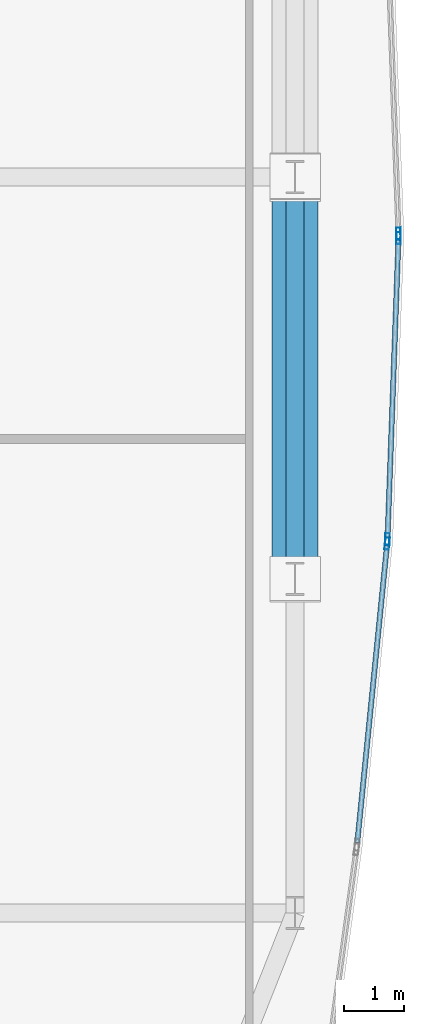
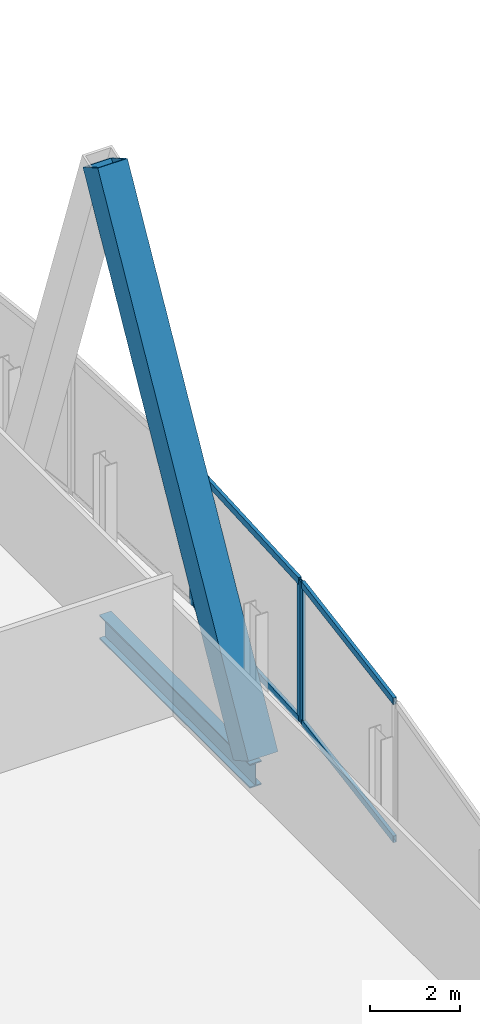
# One storey, part 22 of 35: 9 members, 1 beam, 3 elements without a shape of their own.
"""IFC4 building model written with IfcOpenShell, lengths in metres."""

from ifc_helpers import new_model, si_unit, direction, frame, origin, origin_2d, place, context, subcontext, project, spatial, hollow_rectangle, i_section, extrude, material, material_profile, profile_set, type_object, element, aggregate, save


model = new_model("IFC4")

# Units and contexts
model_context = context("Model", 3, precision=1e-05, world=origin(), true_north=direction((0.0, 1.0)))
body_context = subcontext(model_context, "Body", "Model", "MODEL_VIEW")
ifc_project = project(units=[si_unit("LENGTHUNIT", "METRE"), si_unit("AREAUNIT", "SQUARE_METRE"), si_unit("VOLUMEUNIT", "CUBIC_METRE"), si_unit("PLANEANGLEUNIT", "RADIAN"), si_unit("MASSUNIT", "GRAM", prefix="KILO")], contexts=[model_context])

# Site, building, storey
site_placement = place(None, origin())
site = spatial("IfcSite", under=ifc_project, at=site_placement, CompositionType="ELEMENT")
building_placement = place(site_placement, origin())
building = spatial("IfcBuilding", under=site, at=building_placement, Name="Khoronbel Lancet Exchange", CompositionType="ELEMENT")
storey_placement = place(building_placement, frame((0.0, 0.0, 37.800048828125)))
storey = spatial("IfcBuildingStorey", under=building, at=storey_placement, Name="L08", CompositionType="ELEMENT", Elevation=37.800048828125)

# Beam
ifc_material_1 = material(Name="Steel S355", Category="steel")
ifc_material_profile_1 = material_profile(ifc_material_1, i_section(OverallWidth=0.300048828125, OverallDepth=0.64990234375, WebThickness=0.01611328125, FlangeThickness=0.031005859375, at=origin_2d()), Name="HEB 650")
ifc_profile_set_1 = profile_set([ifc_material_profile_1], Name="Steel S355")
beam_type = type_object("IfcBeamType", Name="BM-BSP1", PredefinedType="SPANDREL", material=ifc_profile_set_1)
beam_placement = place(storey_placement, frame((71.6298828125, 24.75, -0.505126953125), z_axis=(0.0, 1.0, 0.0), x_axis=(-1.0, 0.0, 0.0)))
element("IfcBeam", 1, at=beam_placement, inside=storey, type_object=beam_type, Name="Level L08 perimeter spandrel beam SP12", PredefinedType="SPANDREL", context=body_context, shape_type="SweptSolid", body=[
    extrude(i_section(OverallWidth=0.300048828125, OverallDepth=0.64990234375, WebThickness=0.01611328125, FlangeThickness=0.031005859375, at=origin_2d()), origin(), (0.0, 0.0, 1.0), 6.675048828125),
])

# Curtain wall, member
ifc_material_2 = material(Name="Low-E Solar Control Insulating Glass", Category="glass")
curtain_wall_type = type_object("IfcCurtainWallType", Name="CW-4", PredefinedType="NOTDEFINED", material=ifc_material_2)
curtain_wall_1_placement = place(storey_placement, origin())
curtain_wall_1 = element("IfcCurtainWall", 2, at=curtain_wall_1_placement, inside=storey, type_object=curtain_wall_type, Name="Unitised curtain wall CW-L08-E19", PredefinedType="NOTDEFINED")
ifc_material_3 = material(Name="Bronze-Anodised Aluminium 6063-T6", Category="aluminium")
ifc_material_profile_2 = material_profile(ifc_material_3, hollow_rectangle(XDim=0.074951171875, YDim=0.199951171875, WallThickness=0.0048828125, at=origin_2d()), Name="ALU MULLION 75x200")
ifc_profile_set_2 = profile_set([ifc_material_profile_2], Name="Bronze-Anodised Aluminium 6063-T6")
member_type_1 = type_object("IfcMemberType", Name="MEM-CWM2", PredefinedType="MULLION", material=ifc_profile_set_2)
member_1_placement = place(storey_placement, frame((73.348388671875, 30.487548828125, 0.0), z_axis=(0.0, 0.0, 1.0), x_axis=(0.999330356224, 0.036590150718, 0.0)))
member_1 = element("IfcMember", 3, at=member_1_placement, type_object=member_type_1, Name="CW4 mullion 2", PredefinedType="MULLION", context=body_context, shape_type="SweptSolid", body=[
    extrude(hollow_rectangle(XDim=0.074951171875, YDim=0.199951171875, WallThickness=0.0048828125, at=origin_2d()), origin(), (0.0, 0.0, 1.0), 3.820068359375),
])
aggregate(curtain_wall_1, [member_1])

# Curtain wall, members
curtain_wall_2_placement = place(storey_placement, origin())
curtain_wall_2 = element("IfcCurtainWall", 4, at=curtain_wall_2_placement, inside=storey, type_object=curtain_wall_type, Name="Unitised curtain wall CW-L08-E20", PredefinedType="NOTDEFINED")
member_2_placement = place(storey_placement, frame((73.348388671875, 30.41259765625, 0.0), z_axis=(0.0, 0.0, 1.0), x_axis=(0.999330356224, -0.036590150718, 0.0)))
member_2 = element("IfcMember", 5, at=member_2_placement, type_object=member_type_1, Name="CW4 mullion 1", PredefinedType="MULLION", context=body_context, shape_type="SweptSolid", body=[
    extrude(hollow_rectangle(XDim=0.074951171875, YDim=0.199951171875, WallThickness=0.0048828125, at=origin_2d()), origin(), (0.0, 0.0, 1.0), 3.820068359375),
])
member_3_placement = place(storey_placement, frame((73.165283203125, 25.41015625, 0.0), z_axis=(0.0, 0.0, 1.0), x_axis=(0.999330356224, -0.036590150718, 0.0)))
member_3 = element("IfcMember", 6, at=member_3_placement, type_object=member_type_1, Name="CW4 mullion 2", PredefinedType="MULLION", context=body_context, shape_type="SweptSolid", body=[
    extrude(hollow_rectangle(XDim=0.074951171875, YDim=0.199951171875, WallThickness=0.0048828125, at=origin_2d()), origin(), (0.0, 0.0, 1.0), 3.820068359375),
])

# Curtain wall, member
curtain_wall_3_placement = place(storey_placement, origin())
curtain_wall_3 = element("IfcCurtainWall", 7, at=curtain_wall_3_placement, inside=storey, type_object=curtain_wall_type, Name="Unitised curtain wall CW-L08-E21", PredefinedType="NOTDEFINED")
member_4_placement = place(storey_placement, frame((73.16015625, 25.33544921875, 0.0), z_axis=(0.0, 0.0, 1.0), x_axis=(0.995027292608, -0.099602645371, 0.0)))
member_4 = element("IfcMember", 8, at=member_4_placement, type_object=member_type_1, Name="CW4 mullion 1", PredefinedType="MULLION", context=body_context, shape_type="SweptSolid", body=[
    extrude(hollow_rectangle(XDim=0.074951171875, YDim=0.199951171875, WallThickness=0.0048828125, at=origin_2d()), origin(), (0.0, 0.0, 1.0), 3.820068359375),
])

# Member
ifc_material_profile_3 = material_profile(ifc_material_3, hollow_rectangle(XDim=0.0849609375, YDim=0.179931640625, WallThickness=0.0048828125, at=origin_2d()), Name="ALU TRANSOM 85x180")
ifc_profile_set_3 = profile_set([ifc_material_profile_3], Name="Bronze-Anodised Aluminium 6063-T6")
member_type_2 = type_object("IfcMemberType", Name="MEM-CWT1", PredefinedType="USERDEFINED", material=ifc_profile_set_3)
member_5_placement = place(storey_placement, frame((73.34716796875, 30.375, 0.04248046875), z_axis=(-0.036592264199, -0.999330278837, 0.0), x_axis=(0.999330278837, -0.036592264199, 0.0)))
member_5 = element("IfcMember", 9, at=member_5_placement, type_object=member_type_2, Name="CW4 transom 1.1", ObjectType="TRANSOM", PredefinedType="USERDEFINED", context=body_context, shape_type="SweptSolid", body=[
    extrude(hollow_rectangle(XDim=0.0849609375, YDim=0.179931640625, WallThickness=0.0048828125, at=origin_2d()), origin(), (0.0, 0.0, 1.0), 4.9306640625),
])

member_6_placement = place(storey_placement, frame((73.34716796875, 30.375, 3.77734375), z_axis=(-0.036592264199, -0.999330278837, 0.0), x_axis=(0.999330278837, -0.036592264199, 0.0)))
member_6 = element("IfcMember", 10, at=member_6_placement, type_object=member_type_2, Name="CW4 transom 1.2", ObjectType="TRANSOM", PredefinedType="USERDEFINED", context=body_context, shape_type="SweptSolid", body=[
    extrude(hollow_rectangle(XDim=0.0849609375, YDim=0.179931640625, WallThickness=0.0048828125, at=origin_2d()), origin(), (0.0, 0.0, 1.0), 4.9306640625),
])

aggregate(curtain_wall_2, [member_2, member_3, member_5, member_6])

member_7_placement = place(storey_placement, frame((73.156494140625, 25.298095703125, 0.04248046875), z_axis=(-0.099591541432, -0.995028404054, 0.0), x_axis=(0.995028404054, -0.099591541432, 0.0)))
member_7 = element("IfcMember", 11, at=member_7_placement, type_object=member_type_2, Name="CW4 transom 1.1", ObjectType="TRANSOM", PredefinedType="USERDEFINED", context=body_context, shape_type="SweptSolid", body=[
    extrude(hollow_rectangle(XDim=0.0849609375, YDim=0.179931640625, WallThickness=0.0048828125, at=origin_2d()), origin(), (0.0, 0.0, 1.0), 4.954345703125),
])

member_8_placement = place(storey_placement, frame((73.156494140625, 25.298095703125, 3.77734375), z_axis=(-0.099591541432, -0.995028404054, 0.0), x_axis=(0.995028404054, -0.099591541432, 0.0)))
member_8 = element("IfcMember", 12, at=member_8_placement, type_object=member_type_2, Name="CW4 transom 1.2", ObjectType="TRANSOM", PredefinedType="USERDEFINED", context=body_context, shape_type="SweptSolid", body=[
    extrude(hollow_rectangle(XDim=0.0849609375, YDim=0.179931640625, WallThickness=0.0048828125, at=origin_2d()), origin(), (0.0, 0.0, 1.0), 4.954345703125),
])

aggregate(curtain_wall_3, [member_4, member_7, member_8])

ifc_material_4 = material(Name="Steel S460", Category="steel")
ifc_material_profile_4 = material_profile(ifc_material_4, hollow_rectangle(XDim=0.760009765625, YDim=0.760009765625, WallThickness=0.054931640625, at=origin_2d()), Name="BOX 760x760x55")
ifc_profile_set_4 = profile_set([ifc_material_profile_4], Name="Steel S460")
member_type_3 = type_object("IfcMemberType", Name="MEM-MB1", PredefinedType="BRACE", material=ifc_profile_set_4)
member_9_placement = place(storey_placement, frame((71.6298828125, 24.75, 0.0), z_axis=(0.0, 0.486109322328, 0.873898007061), x_axis=(-1.0, 0.0, 0.0)))
element("IfcMember", 13, at=member_9_placement, inside=storey, type_object=member_type_3, Name="Perimeter lancet brace tier 2 E-P-L", PredefinedType="BRACE", context=body_context, shape_type="SweptSolid", body=[
    extrude(hollow_rectangle(XDim=0.760009765625, YDim=0.760009765625, WallThickness=0.054931640625, at=origin_2d()), origin(), (0.0, 0.0, 1.0), 13.731689453125),
])

save(model, "model.ifc")
